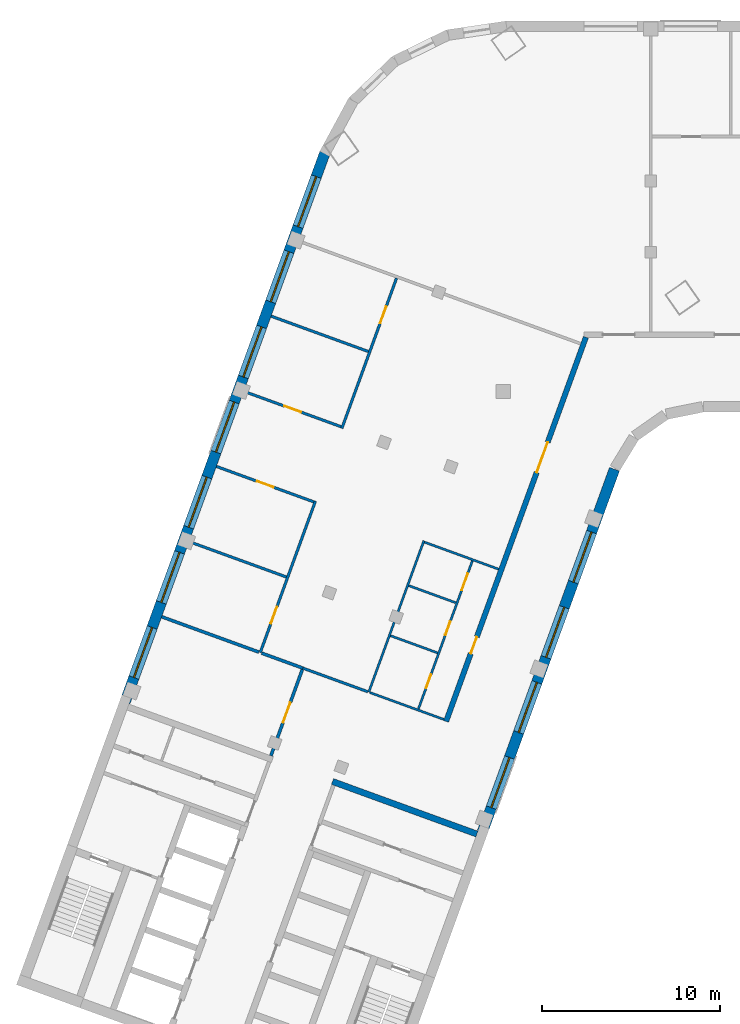
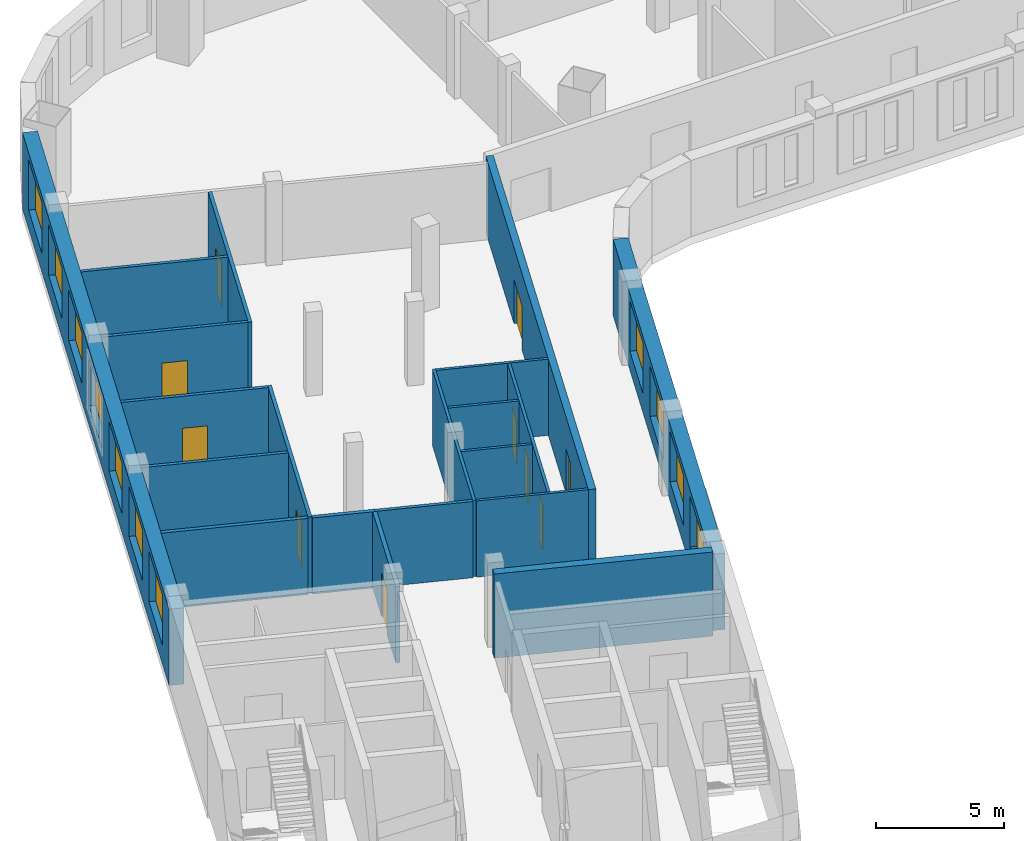
# One storey, part 3 of 8: 20 walls, 11 windows, 10 doors, 21 openings.
"""IFC4 building model written with IfcOpenShell, lengths in metres."""

from ifc_helpers import new_model, si_unit, direction, frame, frame_2d, origin, place, context, subcontext, project, spatial, rectangle, extrude, material, layer, layer_set, type_object, element, fill, save


model = new_model("IFC4")

# Units and contexts
model_context = context("Model", 3, precision=1e-05, world=origin(), true_north=direction((0.0, 1.0)))
body_context = subcontext(model_context, "Body", "Model", "MODEL_VIEW")
ifc_project = project(units=[si_unit("LENGTHUNIT", "METRE"), si_unit("AREAUNIT", "SQUARE_METRE"), si_unit("VOLUMEUNIT", "CUBIC_METRE"), si_unit("PLANEANGLEUNIT", "RADIAN"), si_unit("MASSUNIT", "GRAM", prefix="KILO")], contexts=[model_context])

# Site, building, storey
site_placement = place(None, origin())
site = spatial("IfcSite", under=ifc_project, at=site_placement, CompositionType="ELEMENT")
building_placement = place(site_placement, origin())
building = spatial("IfcBuilding", under=site, at=building_placement, Name="Skarvind Civic Tower", CompositionType="ELEMENT")
storey_placement = place(building_placement, frame((0.0, 0.0, 174.5)))
storey = spatial("IfcBuildingStorey", under=building, at=storey_placement, Name="L41", CompositionType="ELEMENT", Elevation=174.5)

# Walls
ifc_material_1 = material(Name="Acoustic gypsum board on steel studs", Category="steel")
ifc_layer_1 = layer(ifc_material_1, 0.175048828125)
ifc_layer_set_1 = layer_set([ifc_layer_1], Name="ACOUSTIC MEETING-ROOM PARTITION 175")
wall_type_1 = type_object("IfcWallType", Name="ACOUSTIC MEETING-ROOM PARTITION 175", PredefinedType="PARTITIONING", material=ifc_layer_set_1)
wall_1_placement = place(storey_placement, frame((26.736083984375, 105.47998046875, 0.0), z_axis=(0.0, 0.0, 1.0), x_axis=(0.939674453825, -0.342070052516, 0.0)))
element("IfcWall", 1, at=wall_1_placement, inside=storey, type_object=wall_type_1, Name="Partition 41.001", PredefinedType="PARTITIONING", context=body_context, shape_type="SweptSolid", body=[
    extrude(rectangle(XDim=5.814697265625, YDim=0.175048828125, at=frame_2d((2.9072265625, 0.0))), origin(), (0.0, 0.0, 1.0), 3.625),
])
wall_2_placement = place(storey_placement, frame((32.35888671875, 103.43310546875, 0.0), z_axis=(0.0, 0.0, 1.0), x_axis=(0.939784753685, -0.341766904105, 0.0)))
element("IfcWall", 2, at=wall_2_placement, inside=storey, type_object=wall_type_1, Name="Partition 41.004", PredefinedType="PARTITIONING", context=body_context, shape_type="SweptSolid", body=[
    extrude(rectangle(XDim=2.466552734375, YDim=0.175048828125, at=frame_2d((1.2333984375, 0.0))), origin(), (0.0, 0.0, 1.0), 3.625),
])

# Wall, opening, door
wall_3_placement = place(storey_placement, frame((32.881103515625, 97.656982421875, 0.0), z_axis=(0.0, 0.0, 1.0), x_axis=(0.342058204353, 0.939678766832, 0.0)))
wall_3 = element("IfcWall", 3, at=wall_3_placement, inside=storey, type_object=wall_type_1, Name="Partition 41.007", PredefinedType="PARTITIONING", context=body_context, shape_type="SweptSolid", body=[
    extrude(rectangle(XDim=5.16259765625, YDim=0.175048828125, at=frame_2d((2.581298828125, 0.0))), origin(), (0.0, 0.0, 1.0), 3.625),
])
opening_1_placement = place(wall_3_placement, frame((1.9912109375, 0.0, 0.0)))
opening_1 = element("IfcOpeningElement", 4, at=opening_1_placement, cuts=wall_3, Name="Opening L41-D011", PredefinedType="OPENING", context=body_context, shape_type="SweptSolid", body=[
    extrude(rectangle(XDim=1.199951171875, YDim=2.10009765625, at=frame_2d((0.60009765625, 1.050048828125))), frame((0.0, 0.097412109375, 0.0), z_axis=(0.0, -1.0, 0.0), x_axis=(1.0, 0.0, 0.0)), (0.0, 0.0, 1.0), 0.195068359375),
])
ifc_material_2 = material(Name="Timber door leaf", Category="wood")
door_type_1 = type_object("IfcDoorType", Name="DOOR 1200X2100 DOUBLE TIMBER", OperationType="NOTDEFINED", PredefinedType="DOOR", material=ifc_material_2)
door_1_placement = place(opening_1_placement, origin())
door_1 = element("IfcDoor", 5, at=door_1_placement, inside=storey, type_object=door_type_1, Name="Door L41-D011", OperationType="DOUBLE_DOOR_SINGLE_SWING", OverallHeight=2.10009765625, OverallWidth=1.199951171875, PredefinedType="DOOR", context=body_context, shape_type="SweptSolid", body=[
    extrude(rectangle(XDim=1.199951171875, YDim=2.10009765625, at=frame_2d((0.60009765625, 1.050048828125))), frame((0.0, 0.02490234375, 0.0), z_axis=(0.0, -1.0, 0.0), x_axis=(1.0, 0.0, 0.0)), (0.0, 0.0, 1.0), 0.050048828125),
])
fill(opening_1, door_1)

# Wall, openings, doors
ifc_material_3 = material(Name="Fire-rated gypsum board on steel studs", Category="steel")
ifc_layer_2 = layer(ifc_material_3, 0.300048828125)
ifc_layer_set_2 = layer_set([ifc_layer_2], Name="CORRIDOR WALL 300")
wall_type_2 = type_object("IfcWallType", Name="CORRIDOR WALL 300", PredefinedType="PARTITIONING", material=ifc_layer_set_2)
wall_4_placement = place(storey_placement, frame((42.737060546875, 99.590087890625, 0.0), z_axis=(0.0, 0.0, 1.0), x_axis=(0.341992703977, 0.939702607438, 0.0)))
wall_4 = element("IfcWall", 6, at=wall_4_placement, inside=storey, type_object=wall_type_2, Name="Partition 41.019", PredefinedType="PARTITIONING", context=body_context, shape_type="SweptSolid", body=[
    extrude(rectangle(XDim=23.006103515625, YDim=0.300048828125, at=frame_2d((11.5029296875, 0.0))), origin(), (0.0, 0.0, 1.0), 3.625),
])
opening_2_placement = place(wall_4_placement, frame((4.0625, 0.0, 0.0)))
opening_2 = element("IfcOpeningElement", 7, at=opening_2_placement, cuts=wall_4, Name="Opening L41-D012", PredefinedType="OPENING", context=body_context, shape_type="SweptSolid", body=[
    extrude(rectangle(XDim=1.0, YDim=2.10009765625, at=frame_2d((0.5, 1.050048828125))), frame((0.0, 0.159912109375, 0.0), z_axis=(0.0, -1.0, 0.0), x_axis=(1.0, 0.0, 0.0)), (0.0, 0.0, 1.0), 0.320068359375),
])
opening_3_placement = place(wall_4_placement, frame((14.912353515625, 0.0, 0.0)))
opening_3 = element("IfcOpeningElement", 8, at=opening_3_placement, cuts=wall_4, Name="Opening L41-D020", PredefinedType="OPENING", context=body_context, shape_type="SweptSolid", body=[
    extrude(rectangle(XDim=1.800048828125, YDim=2.10009765625, at=frame_2d((0.89990234375, 1.050048828125))), frame((0.0, 0.159912109375, 0.0), z_axis=(0.0, -1.0, 0.0), x_axis=(1.0, 0.0, 0.0)), (0.0, 0.0, 1.0), 0.320068359375),
])
ifc_material_4 = material(Name="Fire-rated timber door leaf", Category="wood")
door_type_2 = type_object("IfcDoorType", Name="FD1 1000x2100", OperationType="NOTDEFINED", PredefinedType="DOOR", material=ifc_material_4)
door_2_placement = place(opening_2_placement, origin())
door_2 = element("IfcDoor", 9, at=door_2_placement, inside=storey, type_object=door_type_2, Name="Door L41-D012", OperationType="SINGLE_SWING_LEFT", OverallHeight=2.10009765625, OverallWidth=1.0, PredefinedType="DOOR", context=body_context, shape_type="SweptSolid", body=[
    extrude(rectangle(XDim=1.0, YDim=2.10009765625, at=frame_2d((0.5, 1.050048828125))), frame((0.0, 0.02490234375, 0.0), z_axis=(0.0, -1.0, 0.0), x_axis=(1.0, 0.0, 0.0)), (0.0, 0.0, 1.0), 0.050048828125),
])
fill(opening_2, door_2)
door_type_3 = type_object("IfcDoorType", Name="FD4 1800x2100", OperationType="NOTDEFINED", PredefinedType="DOOR", material=ifc_material_4)
door_3_placement = place(opening_3_placement, origin())
door_3 = element("IfcDoor", 10, at=door_3_placement, inside=storey, type_object=door_type_3, Name="Door L41-D020", OperationType="DOUBLE_DOOR_SINGLE_SWING", OverallHeight=2.10009765625, OverallWidth=1.800048828125, PredefinedType="DOOR", context=body_context, shape_type="SweptSolid", body=[
    extrude(rectangle(XDim=1.800048828125, YDim=2.10009765625, at=frame_2d((0.89990234375, 1.050048828125))), frame((0.0, 0.02490234375, 0.0), z_axis=(0.0, -1.0, 0.0), x_axis=(1.0, 0.0, 0.0)), (0.0, 0.0, 1.0), 0.050048828125),
])
fill(opening_3, door_3)

# Walls
ifc_material_5 = material(Name="Concrete C60", Category="concrete")
ifc_layer_3 = layer(ifc_material_5, 0.35009765625)
ifc_layer_set_3 = layer_set([ifc_layer_3], Name="Core wall 350 C60")
wall_type_3 = type_object("IfcWallType", Name="Core wall 350 C60", PredefinedType="SHEAR", material=ifc_layer_set_3)
wall_5_placement = place(storey_placement, frame((44.473388671875, 93.25146484375, 0.0), z_axis=(0.0, 0.0, 1.0), x_axis=(-0.939692847377, 0.34201952077, 0.0)))
element("IfcWall", 11, at=wall_5_placement, inside=storey, type_object=wall_type_3, Name="Core wall C2 south inner face L41", PredefinedType="SHEAR", context=body_context, shape_type="SweptSolid", body=[
    extrude(rectangle(XDim=8.650146484375, YDim=0.35009765625, at=frame_2d((4.3251953125, 0.0))), origin(), (0.0, 0.0, 1.0), 4.0),
])
ifc_material_6 = material(Name="Plasterboard partition on steel studs", Category="steel")
ifc_layer_4 = layer(ifc_material_6, 0.14990234375)
ifc_layer_set_4 = layer_set([ifc_layer_4], Name="PARTITION 150")
wall_type_4 = type_object("IfcWallType", Name="PARTITION 150", PredefinedType="PARTITIONING", material=ifc_layer_set_4)
wall_6_placement = place(storey_placement, frame((28.27490234375, 109.708984375, 0.0), z_axis=(0.0, 0.0, 1.0), x_axis=(0.939718757431, -0.341948324943, 0.0)))
element("IfcWall", 12, at=wall_6_placement, inside=storey, type_object=wall_type_4, Name="Partition 41.002", PredefinedType="PARTITIONING", context=body_context, shape_type="SweptSolid", body=[
    extrude(rectangle(XDim=5.8251953125, YDim=0.14990234375, at=frame_2d((2.91259765625, 0.0))), origin(), (0.0, 0.0, 1.0), 3.625),
])

# Wall, opening, door
wall_7_placement = place(storey_placement, frame((29.81396484375, 113.93798828125, 0.0), z_axis=(0.0, 0.0, 1.0), x_axis=(0.939738354986, -0.341894463495, 0.0)))
wall_7 = element("IfcWall", 13, at=wall_7_placement, inside=storey, type_object=wall_type_4, Name="Partition 41.003", PredefinedType="PARTITIONING", context=body_context, shape_type="SweptSolid", body=[
    extrude(rectangle(XDim=5.826171875, YDim=0.14990234375, at=frame_2d((2.9130859375, 0.0))), origin(), (0.0, 0.0, 1.0), 3.625),
])
opening_4_placement = place(wall_7_placement, frame((2.42333984375, 0.0, 0.0)))
opening_4 = element("IfcOpeningElement", 14, at=opening_4_placement, cuts=wall_7, Name="Opening L41-D017", PredefinedType="OPENING", context=body_context, shape_type="SweptSolid", body=[
    extrude(rectangle(XDim=1.0, YDim=2.10009765625, at=frame_2d((0.5, 1.050048828125))), frame((0.0, 0.0849609375, 0.0), z_axis=(0.0, -1.0, 0.0), x_axis=(1.0, 0.0, 0.0)), (0.0, 0.0, 1.0), 0.169921875),
])
door_type_4 = type_object("IfcDoorType", Name="D1 1000x2100", OperationType="NOTDEFINED", PredefinedType="DOOR", material=ifc_material_2)
door_4_placement = place(opening_4_placement, origin())
door_4 = element("IfcDoor", 15, at=door_4_placement, inside=storey, type_object=door_type_4, Name="Door L41-D017", OperationType="SINGLE_SWING_LEFT", OverallHeight=2.10009765625, OverallWidth=1.0, PredefinedType="DOOR", context=body_context, shape_type="SweptSolid", body=[
    extrude(rectangle(XDim=1.0, YDim=2.10009765625, at=frame_2d((0.5, 1.050048828125))), frame((0.0, 0.02490234375, 0.0), z_axis=(0.0, -1.0, 0.0), x_axis=(1.0, 0.0, 0.0)), (0.0, 0.0, 1.0), 0.050048828125),
])
fill(opening_4, door_4)

# Walls
wall_8_placement = place(storey_placement, frame((32.89208984375, 122.39501953125, 0.0), z_axis=(0.0, 0.0, 1.0), x_axis=(0.939733456466, -0.341907927371, 0.0)))
element("IfcWall", 16, at=wall_8_placement, inside=storey, type_object=wall_type_4, Name="Partition 41.005", PredefinedType="PARTITIONING", context=body_context, shape_type="SweptSolid", body=[
    extrude(rectangle(XDim=5.825927734375, YDim=0.14990234375, at=frame_2d((2.9130859375, 0.0))), origin(), (0.0, 0.0, 1.0), 3.625),
])
wall_9_placement = place(storey_placement, frame((34.677001953125, 102.590087890625, 0.0), z_axis=(0.0, 0.0, 1.0), x_axis=(0.939712759945, -0.341964806371, 0.0)))
element("IfcWall", 17, at=wall_9_placement, inside=storey, type_object=wall_type_4, Name="Partition 41.008", PredefinedType="PARTITIONING", context=body_context, shape_type="SweptSolid", body=[
    extrude(rectangle(XDim=3.889404296875, YDim=0.14990234375, at=frame_2d((1.94482421875, 0.0))), origin(), (0.0, 0.0, 1.0), 3.625),
])

# Wall, opening, door
wall_10_placement = place(storey_placement, frame((35.385009765625, 111.989990234375, 0.0), z_axis=(0.0, 0.0, 1.0), x_axis=(-0.342153449842, -0.939644090473, 0.0)))
wall_10 = element("IfcWall", 18, at=wall_10_placement, inside=storey, type_object=wall_type_4, Name="Partition 41.009", PredefinedType="PARTITIONING", context=body_context, shape_type="SweptSolid", body=[
    extrude(rectangle(XDim=9.07470703125, YDim=0.14990234375, at=frame_2d((4.537353515625, 0.0))), origin(), (0.0, 0.0, 1.0), 3.625),
])
opening_5_placement = place(wall_10_placement, frame((6.3251953125, 0.0, 0.0)))
opening_5 = element("IfcOpeningElement", 19, at=opening_5_placement, cuts=wall_10, Name="Opening L41-D016", PredefinedType="OPENING", context=body_context, shape_type="SweptSolid", body=[
    extrude(rectangle(XDim=1.0, YDim=2.10009765625, at=frame_2d((0.5, 1.050048828125))), frame((0.0, 0.0849609375, 0.0), z_axis=(0.0, -1.0, 0.0), x_axis=(1.0, 0.0, 0.0)), (0.0, 0.0, 1.0), 0.169921875),
])
door_5_placement = place(opening_5_placement, origin())
door_5 = element("IfcDoor", 20, at=door_5_placement, inside=storey, type_object=door_type_4, Name="Door L41-D016", OperationType="SINGLE_SWING_LEFT", OverallHeight=2.10009765625, OverallWidth=1.0, PredefinedType="DOOR", context=body_context, shape_type="SweptSolid", body=[
    extrude(rectangle(XDim=1.0, YDim=2.10009765625, at=frame_2d((0.5, 1.050048828125))), frame((0.0, 0.02490234375, 0.0), z_axis=(0.0, -1.0, 0.0), x_axis=(1.0, 0.0, 0.0)), (0.0, 0.0, 1.0), 0.050048828125),
])
fill(opening_5, door_5)

wall_11_placement = place(storey_placement, frame((36.827880859375, 116.174072265625, 0.0), z_axis=(0.0, 0.0, 1.0), x_axis=(-0.939733456466, 0.341907927371, 0.0)))
wall_11 = element("IfcWall", 21, at=wall_11_placement, inside=storey, type_object=wall_type_4, Name="Partition 41.010", PredefinedType="PARTITIONING", context=body_context, shape_type="SweptSolid", body=[
    extrude(rectangle(XDim=5.825927734375, YDim=0.14990234375, at=frame_2d((2.9130859375, 0.0))), origin(), (0.0, 0.0, 1.0), 3.625),
])
opening_6_placement = place(wall_11_placement, frame((2.40283203125, 0.0, 0.0)))
opening_6 = element("IfcOpeningElement", 22, at=opening_6_placement, cuts=wall_11, Name="Opening L41-D018", PredefinedType="OPENING", context=body_context, shape_type="SweptSolid", body=[
    extrude(rectangle(XDim=1.0, YDim=2.10009765625, at=frame_2d((0.5, 1.050048828125))), frame((0.0, 0.0849609375, 0.0), z_axis=(0.0, -1.0, 0.0), x_axis=(1.0, 0.0, 0.0)), (0.0, 0.0, 1.0), 0.169921875),
])
door_6_placement = place(opening_6_placement, origin())
door_6 = element("IfcDoor", 23, at=door_6_placement, inside=storey, type_object=door_type_4, Name="Door L41-D018", OperationType="SINGLE_SWING_RIGHT", OverallHeight=2.10009765625, OverallWidth=1.0, PredefinedType="DOOR", context=body_context, shape_type="SweptSolid", body=[
    extrude(rectangle(XDim=1.0, YDim=2.10009765625, at=frame_2d((0.5, 1.050048828125))), frame((0.0, 0.02490234375, 0.0), z_axis=(0.0, -1.0, 0.0), x_axis=(1.0, 0.0, 0.0)), (0.0, 0.0, 1.0), 0.050048828125),
])
fill(opening_6, door_6)

wall_12_placement = place(storey_placement, frame((39.949951171875, 124.535888671875, 0.0), z_axis=(0.0, 0.0, 1.0), x_axis=(-0.341963022424, -0.939713409128, 0.0)))
wall_12 = element("IfcWall", 24, at=wall_12_placement, inside=storey, type_object=wall_type_4, Name="Partition 41.011", PredefinedType="PARTITIONING", context=body_context, shape_type="SweptSolid", body=[
    extrude(rectangle(XDim=9.000732421875, YDim=0.14990234375, at=frame_2d((4.50048828125, 0.0))), origin(), (0.0, 0.0, 1.0), 3.625),
])
opening_7_placement = place(wall_12_placement, frame((1.70263671875, 0.0, 0.0)))
opening_7 = element("IfcOpeningElement", 25, at=opening_7_placement, cuts=wall_12, Name="Opening L41-D019", PredefinedType="OPENING", context=body_context, shape_type="SweptSolid", body=[
    extrude(rectangle(XDim=1.0, YDim=2.10009765625, at=frame_2d((0.5, 1.050048828125))), frame((0.0, 0.0849609375, 0.0), z_axis=(0.0, -1.0, 0.0), x_axis=(1.0, 0.0, 0.0)), (0.0, 0.0, 1.0), 0.169921875),
])
door_7_placement = place(opening_7_placement, origin())
door_7 = element("IfcDoor", 26, at=door_7_placement, inside=storey, type_object=door_type_4, Name="Door L41-D019", OperationType="SINGLE_SWING_LEFT", OverallHeight=2.10009765625, OverallWidth=1.0, PredefinedType="DOOR", context=body_context, shape_type="SweptSolid", body=[
    extrude(rectangle(XDim=1.0, YDim=2.10009765625, at=frame_2d((0.5, 1.050048828125))), frame((0.0, 0.02490234375, 0.0), z_axis=(0.0, -1.0, 0.0), x_axis=(1.0, 0.0, 0.0)), (0.0, 0.0, 1.0), 0.050048828125),
])
fill(opening_7, door_7)

# Walls
ifc_material_7 = material(Name="Moisture-resistant gypsum board on steel studs", Category="steel")
ifc_layer_5 = layer(ifc_material_7, 0.125)
ifc_layer_set_5 = layer_set([ifc_layer_5], Name="WC PARTITION 125")
wall_type_5 = type_object("IfcWallType", Name="WC PARTITION 125", PredefinedType="PARTITIONING", material=ifc_layer_set_5)
wall_13_placement = place(storey_placement, frame((38.455078125, 101.214111328125, 0.0), z_axis=(0.0, 0.0, 1.0), x_axis=(0.939738687483, -0.341893549585, 0.0)))
element("IfcWall", 27, at=wall_13_placement, inside=storey, type_object=wall_type_5, Name="Partition 41.012", PredefinedType="PARTITIONING", context=body_context, shape_type="SweptSolid", body=[
    extrude(rectangle(XDim=4.4287109375, YDim=0.125, at=frame_2d((2.21435546875, 0.0))), origin(), (0.0, 0.0, 1.0), 3.625),
])
wall_14_placement = place(storey_placement, frame((38.387939453125, 101.239990234375, 0.0), z_axis=(0.0, 0.0, 1.0), x_axis=(0.342067486799, 0.93967538782, 0.0)))
element("IfcWall", 28, at=wall_14_placement, inside=storey, type_object=wall_type_5, Name="Partition 41.013", PredefinedType="PARTITIONING", context=body_context, shape_type="SweptSolid", body=[
    extrude(rectangle(XDim=9.062744140625, YDim=0.125, at=frame_2d((4.53125, 0.0))), origin(), (0.0, 0.0, 1.0), 3.625),
])

# Wall, openings, doors
wall_15_placement = place(storey_placement, frame((41.180908203125, 100.2900390625, 0.0), z_axis=(0.0, 0.0, 1.0), x_axis=(0.34222012082, 0.939619810831, 0.0)))
wall_15 = element("IfcWall", 29, at=wall_15_placement, inside=storey, type_object=wall_type_5, Name="Partition 41.015", PredefinedType="PARTITIONING", context=body_context, shape_type="SweptSolid", body=[
    extrude(rectangle(XDim=8.874755859375, YDim=0.125, at=frame_2d((4.4375, 0.0))), origin(), (0.0, 0.0, 1.0), 3.625),
])
opening_8_placement = place(wall_15_placement, frame((1.25830078125, 0.0, 0.0)))
opening_8 = element("IfcOpeningElement", 30, at=opening_8_placement, cuts=wall_15, Name="Opening L41-D013", PredefinedType="OPENING", context=body_context, shape_type="SweptSolid", body=[
    extrude(rectangle(XDim=0.800048828125, YDim=2.10009765625, at=frame_2d((0.39990234375, 1.050048828125))), frame((0.0, 0.072509765625, 0.0), z_axis=(0.0, -1.0, 0.0), x_axis=(1.0, 0.0, 0.0)), (0.0, 0.0, 1.0), 0.14501953125),
])
opening_9_placement = place(wall_15_placement, frame((4.43701171875, 0.0, 0.0)))
opening_9 = element("IfcOpeningElement", 31, at=opening_9_placement, cuts=wall_15, Name="Opening L41-D014", PredefinedType="OPENING", context=body_context, shape_type="SweptSolid", body=[
    extrude(rectangle(XDim=0.800048828125, YDim=2.10009765625, at=frame_2d((0.39990234375, 1.050048828125))), frame((0.0, 0.072509765625, 0.0), z_axis=(0.0, -1.0, 0.0), x_axis=(1.0, 0.0, 0.0)), (0.0, 0.0, 1.0), 0.14501953125),
])
opening_10_placement = place(wall_15_placement, frame((7.1162109375, 0.0, 0.0)))
opening_10 = element("IfcOpeningElement", 32, at=opening_10_placement, cuts=wall_15, Name="Opening L41-D015", PredefinedType="OPENING", context=body_context, shape_type="SweptSolid", body=[
    extrude(rectangle(XDim=1.0, YDim=2.10009765625, at=frame_2d((0.5, 1.050048828125))), frame((0.0, 0.072509765625, 0.0), z_axis=(0.0, -1.0, 0.0), x_axis=(1.0, 0.0, 0.0)), (0.0, 0.0, 1.0), 0.14501953125),
])
door_8_placement = place(opening_10_placement, origin())
door_8 = element("IfcDoor", 33, at=door_8_placement, inside=storey, type_object=door_type_4, Name="Door L41-D015", OperationType="SINGLE_SWING_LEFT", OverallHeight=2.10009765625, OverallWidth=1.0, PredefinedType="DOOR", context=body_context, shape_type="SweptSolid", body=[
    extrude(rectangle(XDim=1.0, YDim=2.10009765625, at=frame_2d((0.5, 1.050048828125))), frame((0.0, 0.02490234375, 0.0), z_axis=(0.0, -1.0, 0.0), x_axis=(1.0, 0.0, 0.0)), (0.0, 0.0, 1.0), 0.050048828125),
])
fill(opening_10, door_8)
door_type_5 = type_object("IfcDoorType", Name="DOOR 800X2100 TIMBER", OperationType="NOTDEFINED", PredefinedType="DOOR", material=ifc_material_2)
door_9_placement = place(opening_8_placement, origin())
door_9 = element("IfcDoor", 34, at=door_9_placement, inside=storey, type_object=door_type_5, Name="Door L41-D013", OperationType="SINGLE_SWING_LEFT", OverallHeight=2.10009765625, OverallWidth=0.800048828125, PredefinedType="DOOR", context=body_context, shape_type="SweptSolid", body=[
    extrude(rectangle(XDim=0.800048828125, YDim=2.10009765625, at=frame_2d((0.39990234375, 1.050048828125))), frame((0.0, 0.02490234375, 0.0), z_axis=(0.0, -1.0, 0.0), x_axis=(1.0, 0.0, 0.0)), (0.0, 0.0, 1.0), 0.050048828125),
])
fill(opening_8, door_9)
door_10_placement = place(opening_9_placement, origin())
door_10 = element("IfcDoor", 35, at=door_10_placement, inside=storey, type_object=door_type_5, Name="Door L41-D014", OperationType="SINGLE_SWING_LEFT", OverallHeight=2.10009765625, OverallWidth=0.800048828125, PredefinedType="DOOR", context=body_context, shape_type="SweptSolid", body=[
    extrude(rectangle(XDim=0.800048828125, YDim=2.10009765625, at=frame_2d((0.39990234375, 1.050048828125))), frame((0.0, 0.02490234375, 0.0), z_axis=(0.0, -1.0, 0.0), x_axis=(1.0, 0.0, 0.0)), (0.0, 0.0, 1.0), 0.050048828125),
])
fill(opening_9, door_10)

# Walls
wall_16_placement = place(storey_placement, frame((41.52587890625, 109.676025390625, 0.0), z_axis=(0.0, 0.0, 1.0), x_axis=(0.939577975992, -0.342334963203, 0.0)))
element("IfcWall", 36, at=wall_16_placement, inside=storey, type_object=wall_type_5, Name="Partition 41.016", PredefinedType="PARTITIONING", context=body_context, shape_type="SweptSolid", body=[
    extrude(rectangle(XDim=4.437255859375, YDim=0.125, at=frame_2d((2.21875, 0.0))), origin(), (0.0, 0.0, 1.0), 3.625),
])
wall_17_placement = place(storey_placement, frame((42.263916015625, 103.446044921875, 0.0), z_axis=(0.0, 0.0, 1.0), x_axis=(-0.939563555473, 0.342374539396, 0.0)))
element("IfcWall", 37, at=wall_17_placement, inside=storey, type_object=wall_type_5, Name="Partition 41.017", PredefinedType="PARTITIONING", context=body_context, shape_type="SweptSolid", body=[
    extrude(rectangle(XDim=2.824462890625, YDim=0.125, at=frame_2d((1.412109375, 0.0))), origin(), (0.0, 0.0, 1.0), 3.625),
])
wall_18_placement = place(storey_placement, frame((43.2900390625, 106.26611328125, 0.0), z_axis=(0.0, 0.0, 1.0), x_axis=(-0.939601484935, 0.342270433294, 0.0)))
element("IfcWall", 38, at=wall_18_placement, inside=storey, type_object=wall_type_5, Name="Partition 41.020", PredefinedType="PARTITIONING", context=body_context, shape_type="SweptSolid", body=[
    extrude(rectangle(XDim=2.82470703125, YDim=0.125, at=frame_2d((1.412353515625, 0.0))), origin(), (0.0, 0.0, 1.0), 3.625),
])

# Wall, openings, windows
ifc_material_8 = material(Name="Limestone masonry cladding on insulated backing", Category="masonry")
ifc_layer_6 = layer(ifc_material_8, 0.60009765625)
ifc_layer_set_6 = layer_set([ifc_layer_6], Name="WX1 STONE FACADE WALL 600")
wall_type_6 = type_object("IfcWallType", Name="WX1 STONE FACADE WALL 600", PredefinedType="SOLIDWALL", material=ifc_layer_set_6)
wall_19_placement = place(storey_placement, frame((52.212158203125, 113.78271484375, 0.0), z_axis=(0.0, 0.0, 1.0), x_axis=(-0.34202521188, -0.939690775968, 0.0)))
wall_19 = element("IfcWall", 39, at=wall_19_placement, inside=storey, type_object=wall_type_6, Name="STONE FACADE WALL", PredefinedType="SOLIDWALL", context=body_context, shape_type="SweptSolid", body=[
    extrude(rectangle(XDim=21.744873046875, YDim=0.60009765625, at=frame_2d((10.87255859375, 0.0))), origin(), (0.0, 0.0, 1.0), 3.625),
])
opening_11_placement = place(wall_19_placement, frame((3.764892578125, 0.0, 0.89990234375)))
opening_11 = element("IfcOpeningElement", 40, at=opening_11_placement, cuts=wall_19, Name="Opening WN1", PredefinedType="OPENING", context=body_context, shape_type="SweptSolid", body=[
    extrude(rectangle(XDim=3.0, YDim=2.39990234375, at=frame_2d((1.5, 1.199951171875))), frame((0.0, 0.31005859375, 0.0), z_axis=(0.0, -1.0, 0.0), x_axis=(1.0, 0.0, 0.0)), (0.0, 0.0, 1.0), 0.6201171875),
])
opening_12_placement = place(wall_19_placement, frame((8.264892578125, 0.0, 0.89990234375)))
opening_12 = element("IfcOpeningElement", 41, at=opening_12_placement, cuts=wall_19, Name="Opening WN1", PredefinedType="OPENING", context=body_context, shape_type="SweptSolid", body=[
    extrude(rectangle(XDim=3.0, YDim=2.39990234375, at=frame_2d((1.5, 1.199951171875))), frame((0.0, 0.31005859375, 0.0), z_axis=(0.0, -1.0, 0.0), x_axis=(1.0, 0.0, 0.0)), (0.0, 0.0, 1.0), 0.6201171875),
])
opening_13_placement = place(wall_19_placement, frame((12.764892578125, 0.0, 0.89990234375)))
opening_13 = element("IfcOpeningElement", 42, at=opening_13_placement, cuts=wall_19, Name="Opening WN1", PredefinedType="OPENING", context=body_context, shape_type="SweptSolid", body=[
    extrude(rectangle(XDim=3.0, YDim=2.39990234375, at=frame_2d((1.5, 1.199951171875))), frame((0.0, 0.31005859375, 0.0), z_axis=(0.0, -1.0, 0.0), x_axis=(1.0, 0.0, 0.0)), (0.0, 0.0, 1.0), 0.6201171875),
])
opening_14_placement = place(wall_19_placement, frame((17.264892578125, 0.0, 0.89990234375)))
opening_14 = element("IfcOpeningElement", 43, at=opening_14_placement, cuts=wall_19, Name="Opening WN1", PredefinedType="OPENING", context=body_context, shape_type="SweptSolid", body=[
    extrude(rectangle(XDim=3.0, YDim=2.39990234375, at=frame_2d((1.5, 1.199951171875))), frame((0.0, 0.31005859375, 0.0), z_axis=(0.0, -1.0, 0.0), x_axis=(1.0, 0.0, 0.0)), (0.0, 0.0, 1.0), 0.6201171875),
])
ifc_material_9 = material(Name="Timber frame, double glazing, timber-lined reveal", Category="wood")
window_type = type_object("IfcWindowType", Name="WN1 PUNCHED STONE WINDOW 3000 x 2400", PartitioningType="SINGLE_PANEL", PredefinedType="WINDOW", material=ifc_material_9)
window_1_placement = place(opening_11_placement, origin())
window_1 = element("IfcWindow", 44, at=window_1_placement, inside=storey, type_object=window_type, Name="WN1 WINDOW", OverallHeight=2.39990234375, OverallWidth=3.0, PartitioningType="SINGLE_PANEL", PredefinedType="WINDOW", context=body_context, shape_type="SweptSolid", body=[
    extrude(rectangle(XDim=3.0, YDim=2.39990234375, at=frame_2d((1.5, 1.199951171875))), frame((0.0, 0.030029296875, 0.0), z_axis=(0.0, -1.0, 0.0), x_axis=(1.0, 0.0, 0.0)), (0.0, 0.0, 1.0), 0.06005859375),
])
fill(opening_11, window_1)
window_2_placement = place(opening_12_placement, origin())
window_2 = element("IfcWindow", 45, at=window_2_placement, inside=storey, type_object=window_type, Name="WN1 WINDOW", OverallHeight=2.39990234375, OverallWidth=3.0, PartitioningType="SINGLE_PANEL", PredefinedType="WINDOW", context=body_context, shape_type="SweptSolid", body=[
    extrude(rectangle(XDim=3.0, YDim=2.39990234375, at=frame_2d((1.5, 1.199951171875))), frame((0.0, 0.030029296875, 0.0), z_axis=(0.0, -1.0, 0.0), x_axis=(1.0, 0.0, 0.0)), (0.0, 0.0, 1.0), 0.06005859375),
])
fill(opening_12, window_2)
window_3_placement = place(opening_13_placement, origin())
window_3 = element("IfcWindow", 46, at=window_3_placement, inside=storey, type_object=window_type, Name="WN1 WINDOW", OverallHeight=2.39990234375, OverallWidth=3.0, PartitioningType="SINGLE_PANEL", PredefinedType="WINDOW", context=body_context, shape_type="SweptSolid", body=[
    extrude(rectangle(XDim=3.0, YDim=2.39990234375, at=frame_2d((1.5, 1.199951171875))), frame((0.0, 0.030029296875, 0.0), z_axis=(0.0, -1.0, 0.0), x_axis=(1.0, 0.0, 0.0)), (0.0, 0.0, 1.0), 0.06005859375),
])
fill(opening_13, window_3)
window_4_placement = place(opening_14_placement, origin())
window_4 = element("IfcWindow", 47, at=window_4_placement, inside=storey, type_object=window_type, Name="WN1 WINDOW", OverallHeight=2.39990234375, OverallWidth=3.0, PartitioningType="SINGLE_PANEL", PredefinedType="WINDOW", context=body_context, shape_type="SweptSolid", body=[
    extrude(rectangle(XDim=3.0, YDim=2.39990234375, at=frame_2d((1.5, 1.199951171875))), frame((0.0, 0.030029296875, 0.0), z_axis=(0.0, -1.0, 0.0), x_axis=(1.0, 0.0, 0.0)), (0.0, 0.0, 1.0), 0.06005859375),
])
fill(opening_14, window_4)

wall_20_placement = place(storey_placement, frame((24.66552734375, 100.668701171875, 0.0), z_axis=(0.0, 0.0, 1.0), x_axis=(0.34201964167, 0.939692803373, 0.0)))
wall_20 = element("IfcWall", 48, at=wall_20_placement, inside=storey, type_object=wall_type_6, Name="STONE FACADE WALL", PredefinedType="SOLIDWALL", context=body_context, shape_type="SweptSolid", body=[
    extrude(rectangle(XDim=32.88427734375, YDim=0.60009765625, at=frame_2d((16.442138671875, 0.0))), origin(), (0.0, 0.0, 1.0), 3.625),
])
opening_15_placement = place(wall_20_placement, frame((1.47998046875, 0.0, 0.89990234375)))
opening_15 = element("IfcOpeningElement", 49, at=opening_15_placement, cuts=wall_20, Name="Opening WN1", PredefinedType="OPENING", context=body_context, shape_type="SweptSolid", body=[
    extrude(rectangle(XDim=3.0, YDim=2.39990234375, at=frame_2d((1.5, 1.199951171875))), frame((0.0, 0.31005859375, 0.0), z_axis=(0.0, -1.0, 0.0), x_axis=(1.0, 0.0, 0.0)), (0.0, 0.0, 1.0), 0.6201171875),
])
opening_16_placement = place(wall_20_placement, frame((5.97998046875, 0.0, 0.89990234375)))
opening_16 = element("IfcOpeningElement", 50, at=opening_16_placement, cuts=wall_20, Name="Opening WN1", PredefinedType="OPENING", context=body_context, shape_type="SweptSolid", body=[
    extrude(rectangle(XDim=3.0, YDim=2.39990234375, at=frame_2d((1.5, 1.199951171875))), frame((0.0, 0.31005859375, 0.0), z_axis=(0.0, -1.0, 0.0), x_axis=(1.0, 0.0, 0.0)), (0.0, 0.0, 1.0), 0.6201171875),
])
opening_17_placement = place(wall_20_placement, frame((10.47998046875, 0.0, 0.89990234375)))
opening_17 = element("IfcOpeningElement", 51, at=opening_17_placement, cuts=wall_20, Name="Opening WN1", PredefinedType="OPENING", context=body_context, shape_type="SweptSolid", body=[
    extrude(rectangle(XDim=3.0, YDim=2.39990234375, at=frame_2d((1.5, 1.199951171875))), frame((0.0, 0.31005859375, 0.0), z_axis=(0.0, -1.0, 0.0), x_axis=(1.0, 0.0, 0.0)), (0.0, 0.0, 1.0), 0.6201171875),
])
opening_18_placement = place(wall_20_placement, frame((14.97998046875, 0.0, 0.89990234375)))
opening_18 = element("IfcOpeningElement", 52, at=opening_18_placement, cuts=wall_20, Name="Opening WN1", PredefinedType="OPENING", context=body_context, shape_type="SweptSolid", body=[
    extrude(rectangle(XDim=3.0, YDim=2.39990234375, at=frame_2d((1.5, 1.199951171875))), frame((0.0, 0.31005859375, 0.0), z_axis=(0.0, -1.0, 0.0), x_axis=(1.0, 0.0, 0.0)), (0.0, 0.0, 1.0), 0.6201171875),
])
opening_19_placement = place(wall_20_placement, frame((19.47998046875, 0.0, 0.89990234375)))
opening_19 = element("IfcOpeningElement", 53, at=opening_19_placement, cuts=wall_20, Name="Opening WN1", PredefinedType="OPENING", context=body_context, shape_type="SweptSolid", body=[
    extrude(rectangle(XDim=3.0, YDim=2.39990234375, at=frame_2d((1.5, 1.199951171875))), frame((0.0, 0.31005859375, 0.0), z_axis=(0.0, -1.0, 0.0), x_axis=(1.0, 0.0, 0.0)), (0.0, 0.0, 1.0), 0.6201171875),
])
opening_20_placement = place(wall_20_placement, frame((23.97998046875, 0.0, 0.89990234375)))
opening_20 = element("IfcOpeningElement", 54, at=opening_20_placement, cuts=wall_20, Name="Opening WN1", PredefinedType="OPENING", context=body_context, shape_type="SweptSolid", body=[
    extrude(rectangle(XDim=3.0, YDim=2.39990234375, at=frame_2d((1.5, 1.199951171875))), frame((0.0, 0.31005859375, 0.0), z_axis=(0.0, -1.0, 0.0), x_axis=(1.0, 0.0, 0.0)), (0.0, 0.0, 1.0), 0.6201171875),
])
opening_21_placement = place(wall_20_placement, frame((28.47998046875, 0.0, 0.89990234375)))
opening_21 = element("IfcOpeningElement", 55, at=opening_21_placement, cuts=wall_20, Name="Opening WN1", PredefinedType="OPENING", context=body_context, shape_type="SweptSolid", body=[
    extrude(rectangle(XDim=3.0, YDim=2.39990234375, at=frame_2d((1.5, 1.199951171875))), frame((0.0, 0.31005859375, 0.0), z_axis=(0.0, -1.0, 0.0), x_axis=(1.0, 0.0, 0.0)), (0.0, 0.0, 1.0), 0.6201171875),
])
window_5_placement = place(opening_15_placement, origin())
window_5 = element("IfcWindow", 56, at=window_5_placement, inside=storey, type_object=window_type, Name="WN1 WINDOW", OverallHeight=2.39990234375, OverallWidth=3.0, PartitioningType="SINGLE_PANEL", PredefinedType="WINDOW", context=body_context, shape_type="SweptSolid", body=[
    extrude(rectangle(XDim=3.0, YDim=2.39990234375, at=frame_2d((1.5, 1.199951171875))), frame((0.0, 0.030029296875, 0.0), z_axis=(0.0, -1.0, 0.0), x_axis=(1.0, 0.0, 0.0)), (0.0, 0.0, 1.0), 0.06005859375),
])
fill(opening_15, window_5)
window_6_placement = place(opening_16_placement, origin())
window_6 = element("IfcWindow", 57, at=window_6_placement, inside=storey, type_object=window_type, Name="WN1 WINDOW", OverallHeight=2.39990234375, OverallWidth=3.0, PartitioningType="SINGLE_PANEL", PredefinedType="WINDOW", context=body_context, shape_type="SweptSolid", body=[
    extrude(rectangle(XDim=3.0, YDim=2.39990234375, at=frame_2d((1.5, 1.199951171875))), frame((0.0, 0.030029296875, 0.0), z_axis=(0.0, -1.0, 0.0), x_axis=(1.0, 0.0, 0.0)), (0.0, 0.0, 1.0), 0.06005859375),
])
fill(opening_16, window_6)
window_7_placement = place(opening_17_placement, origin())
window_7 = element("IfcWindow", 58, at=window_7_placement, inside=storey, type_object=window_type, Name="WN1 WINDOW", OverallHeight=2.39990234375, OverallWidth=3.0, PartitioningType="SINGLE_PANEL", PredefinedType="WINDOW", context=body_context, shape_type="SweptSolid", body=[
    extrude(rectangle(XDim=3.0, YDim=2.39990234375, at=frame_2d((1.5, 1.199951171875))), frame((0.0, 0.030029296875, 0.0), z_axis=(0.0, -1.0, 0.0), x_axis=(1.0, 0.0, 0.0)), (0.0, 0.0, 1.0), 0.06005859375),
])
fill(opening_17, window_7)
window_8_placement = place(opening_18_placement, origin())
window_8 = element("IfcWindow", 59, at=window_8_placement, inside=storey, type_object=window_type, Name="WN1 WINDOW", OverallHeight=2.39990234375, OverallWidth=3.0, PartitioningType="SINGLE_PANEL", PredefinedType="WINDOW", context=body_context, shape_type="SweptSolid", body=[
    extrude(rectangle(XDim=3.0, YDim=2.39990234375, at=frame_2d((1.5, 1.199951171875))), frame((0.0, 0.030029296875, 0.0), z_axis=(0.0, -1.0, 0.0), x_axis=(1.0, 0.0, 0.0)), (0.0, 0.0, 1.0), 0.06005859375),
])
fill(opening_18, window_8)
window_9_placement = place(opening_19_placement, origin())
window_9 = element("IfcWindow", 60, at=window_9_placement, inside=storey, type_object=window_type, Name="WN1 WINDOW", OverallHeight=2.39990234375, OverallWidth=3.0, PartitioningType="SINGLE_PANEL", PredefinedType="WINDOW", context=body_context, shape_type="SweptSolid", body=[
    extrude(rectangle(XDim=3.0, YDim=2.39990234375, at=frame_2d((1.5, 1.199951171875))), frame((0.0, 0.030029296875, 0.0), z_axis=(0.0, -1.0, 0.0), x_axis=(1.0, 0.0, 0.0)), (0.0, 0.0, 1.0), 0.06005859375),
])
fill(opening_19, window_9)
window_10_placement = place(opening_20_placement, origin())
window_10 = element("IfcWindow", 61, at=window_10_placement, inside=storey, type_object=window_type, Name="WN1 WINDOW", OverallHeight=2.39990234375, OverallWidth=3.0, PartitioningType="SINGLE_PANEL", PredefinedType="WINDOW", context=body_context, shape_type="SweptSolid", body=[
    extrude(rectangle(XDim=3.0, YDim=2.39990234375, at=frame_2d((1.5, 1.199951171875))), frame((0.0, 0.030029296875, 0.0), z_axis=(0.0, -1.0, 0.0), x_axis=(1.0, 0.0, 0.0)), (0.0, 0.0, 1.0), 0.06005859375),
])
fill(opening_20, window_10)
window_11_placement = place(opening_21_placement, origin())
window_11 = element("IfcWindow", 62, at=window_11_placement, inside=storey, type_object=window_type, Name="WN1 WINDOW", OverallHeight=2.39990234375, OverallWidth=3.0, PartitioningType="SINGLE_PANEL", PredefinedType="WINDOW", context=body_context, shape_type="SweptSolid", body=[
    extrude(rectangle(XDim=3.0, YDim=2.39990234375, at=frame_2d((1.5, 1.199951171875))), frame((0.0, 0.030029296875, 0.0), z_axis=(0.0, -1.0, 0.0), x_axis=(1.0, 0.0, 0.0)), (0.0, 0.0, 1.0), 0.06005859375),
])
fill(opening_21, window_11)

save(model, "model.ifc")
